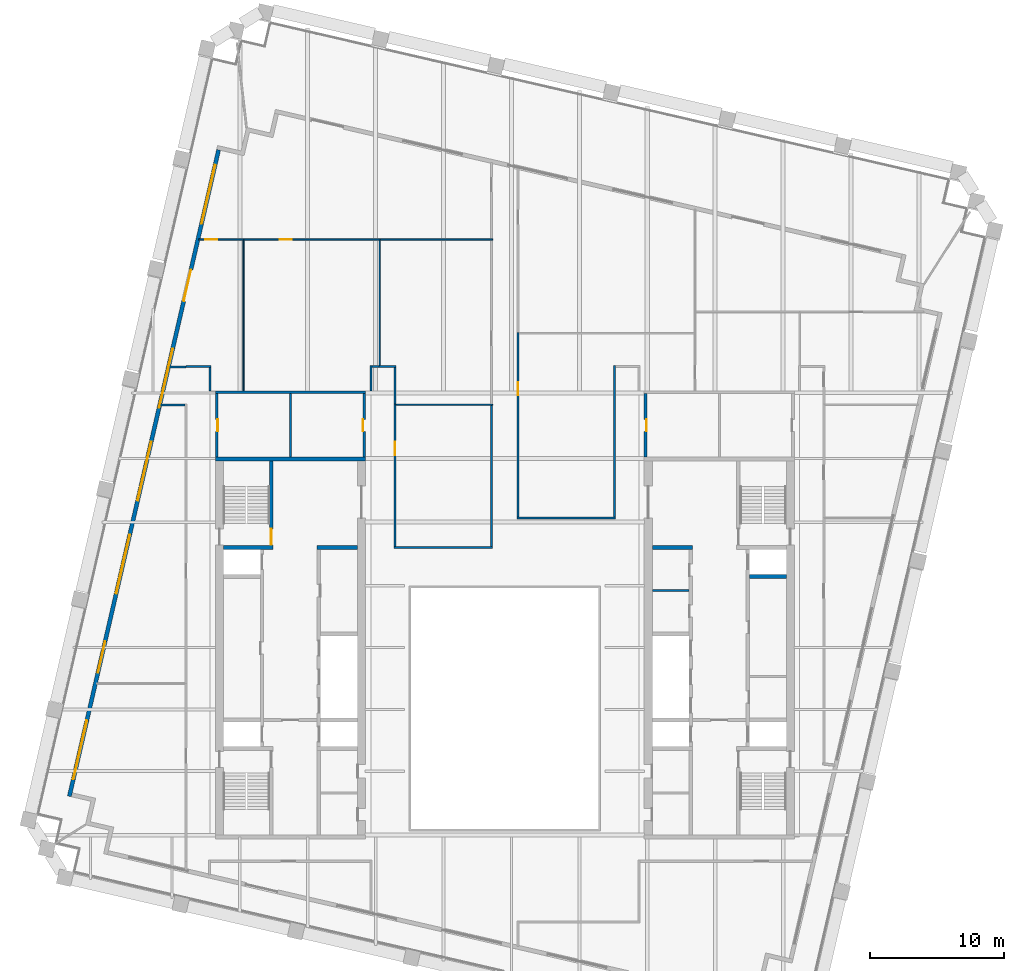
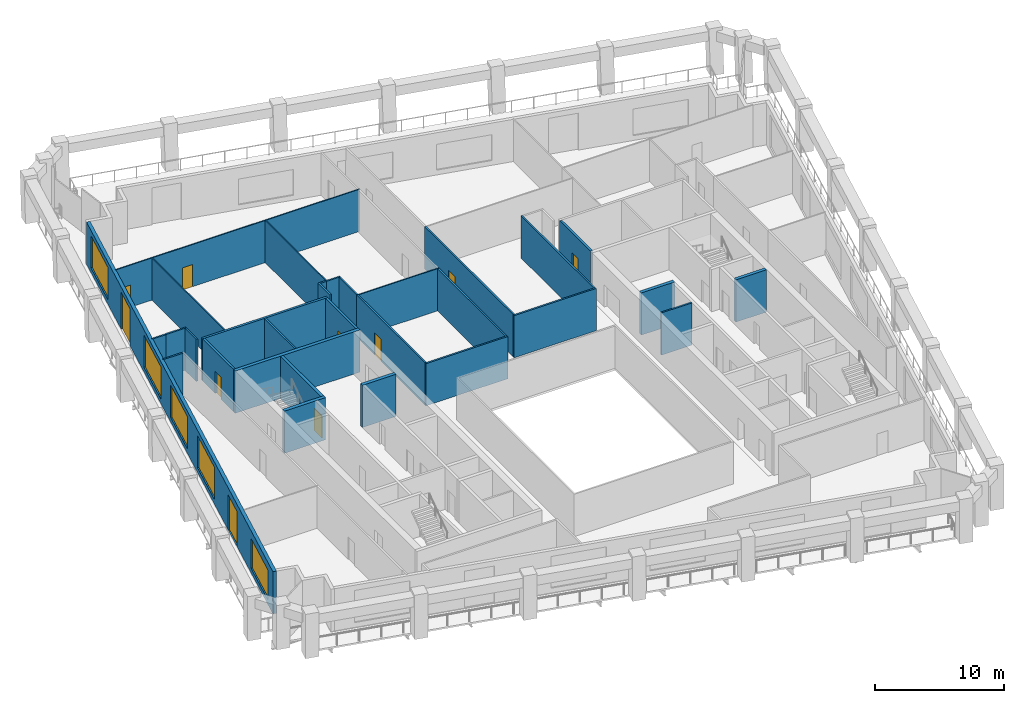
# One storey, part 6 of 9: 33 walls, 10 doors, 5 windows, 15 openings.
"""IFC4 building model written with IfcOpenShell, lengths in metres."""

from ifc_helpers import new_model, si_unit, direction, frame, frame_2d, origin, place, context, subcontext, project, spatial, rectangle, extrude, material, layer, layer_set, type_object, element, fill, save


model = new_model("IFC4")

# Units and contexts
model_context = context("Model", 3, precision=1e-05, world=origin(), true_north=direction((0.0, 1.0)))
body_context = subcontext(model_context, "Body", "Model", "MODEL_VIEW")
ifc_project = project(units=[si_unit("LENGTHUNIT", "METRE"), si_unit("AREAUNIT", "SQUARE_METRE"), si_unit("VOLUMEUNIT", "CUBIC_METRE"), si_unit("PLANEANGLEUNIT", "RADIAN"), si_unit("MASSUNIT", "GRAM", prefix="KILO")], contexts=[model_context])

# Site, building, storey
site_placement = place(None, origin())
site = spatial("IfcSite", under=ifc_project, at=site_placement, CompositionType="ELEMENT")
building_placement = place(site_placement, origin())
building = spatial("IfcBuilding", under=site, at=building_placement, Name="Ogive Exchange Tower", CompositionType="ELEMENT")
storey_placement = place(building_placement, frame((0.0, 0.0, 285.0)))
storey = spatial("IfcBuildingStorey", under=building, at=storey_placement, Name="L62", CompositionType="ELEMENT", Elevation=285.0)

# Walls
ifc_material_1 = material(Name="Gypsum board partition")
ifc_layer_1 = layer(ifc_material_1, 0.14990234375)
ifc_layer_set_1 = layer_set([ifc_layer_1], Name="Core room partition 150 gypsum")
wall_type_1 = type_object("IfcWallType", Name="Core room partition 150 gypsum", PredefinedType="PARTITIONING", material=ifc_layer_set_1)
wall_1_placement = place(storey_placement, frame((-16.0, 25.75, 0.0), z_axis=(0.0, 0.0, 1.0), x_axis=(0.0, 1.0, 0.0)))
element("IfcWall", 1, at=wall_1_placement, inside=storey, type_object=wall_type_1, Name="W annex N column wall", PredefinedType="PARTITIONING", context=body_context, shape_type="SweptSolid", body=[
    extrude(rectangle(XDim=4.75, YDim=0.14990234375, at=frame_2d((2.375, 0.0))), origin(), (0.0, 0.0, 1.0), 4.0),
])
wall_2_placement = place(storey_placement, frame((11.0, 15.800048828125, 0.0), z_axis=(0.0, 0.0, 1.0), x_axis=(1.0, 0.0, 0.0)))
element("IfcWall", 2, at=wall_2_placement, inside=storey, type_object=wall_type_1, Name="E row B bay partition 4-1", PredefinedType="PARTITIONING", context=body_context, shape_type="SweptSolid", body=[
    extrude(rectangle(XDim=2.75, YDim=0.14990234375, at=frame_2d((1.375, 0.0))), origin(), (0.0, 0.0, 1.0), 4.0),
])
ifc_layer_2 = layer(ifc_material_1, 0.300048828125)
ifc_layer_set_2 = layer_set([ifc_layer_2], Name="Core room partition 300 gypsum")
wall_type_2 = type_object("IfcWallType", Name="Core room partition 300 gypsum", PredefinedType="PARTITIONING", material=ifc_layer_set_2)
for number, where, z_axis, x_axis, name in (
    (3, (-14.0, 19.0, 0.0), (0.0, 0.0, 1.0), (1.0, 0.0, 0.0), "W row B room end wall 7"),
    (4, (11.0, 19.0, 0.0), (0.0, 0.0, 1.0), (1.0, 0.0, 0.0), "E row B room end wall 7"),
):
    element("IfcWall", number, at=place(storey_placement, frame(where, z_axis=z_axis, x_axis=x_axis)), inside=storey, type_object=wall_type_2, Name=name, PredefinedType="PARTITIONING", context=body_context, shape_type="SweptSolid", body=[
        extrude(rectangle(XDim=3.0, YDim=0.300048828125, at=frame_2d((1.5, 0.0))), origin(), (0.0, 0.0, 1.0), 4.0),
    ])
ifc_material_2 = material(Name="Fire partition EI 60 150")
ifc_layer_3 = layer(ifc_material_2, 0.14990234375)
ifc_layer_set_3 = layer_set([ifc_layer_3], Name="Fire partition EI 60 150")
wall_type_3 = type_object("IfcWallType", Name="Fire partition EI 60 150", PredefinedType="PARTITIONING", material=ifc_layer_set_3)
wall_3_placement = place(storey_placement, frame((-25.02490234375, 32.489990234375, 0.0), z_axis=(0.0, 0.0, 1.0), x_axis=(1.0, 0.0, 0.0)))
element("IfcWall", 5, at=wall_3_placement, inside=storey, type_object=wall_type_3, Name="L62-PWL-001", PredefinedType="PARTITIONING", context=body_context, shape_type="SweptSolid", body=[
    extrude(rectangle(XDim=1.224853515625, YDim=0.14990234375, at=frame_2d((0.6123046875, 0.0))), origin(), (0.0, 0.0, 1.0), 4.0),
])
wall_4_placement = place(storey_placement, frame((-23.875, 29.659912109375, 0.0), z_axis=(0.0, 0.0, 1.0), x_axis=(-1.0, 0.0, 0.0)))
element("IfcWall", 6, at=wall_4_placement, inside=storey, type_object=wall_type_3, Name="L62-PWL-005", PredefinedType="PARTITIONING", context=body_context, shape_type="SweptSolid", body=[
    extrude(rectangle(XDim=1.802978515625, YDim=0.14990234375, at=frame_2d((0.9013671875, 0.0))), origin(), (0.0, 0.0, 1.0), 4.0),
])
wall_5_placement = place(storey_placement, frame((-23.800048828125, 32.5, 0.0), z_axis=(0.0, 0.0, 1.0), x_axis=(1.0, 0.0, 0.0)))
element("IfcWall", 7, at=wall_5_placement, inside=storey, type_object=wall_type_3, Name="L62-PWL-006", PredefinedType="PARTITIONING", context=body_context, shape_type="SweptSolid", body=[
    extrude(rectangle(XDim=1.875, YDim=0.14990234375, at=frame_2d((0.9375, 0.0))), origin(), (0.0, 0.0, 1.0), 4.0),
])
wall_6_placement = place(storey_placement, frame((-22.0, 32.425048828125, 0.0), z_axis=(0.0, 0.0, 1.0), x_axis=(0.0, -1.0, 0.0)))
element("IfcWall", 8, at=wall_6_placement, inside=storey, type_object=wall_type_3, Name="L62-PWL-010", PredefinedType="PARTITIONING", context=body_context, shape_type="SweptSolid", body=[
    extrude(rectangle(XDim=1.72509765625, YDim=0.14990234375, at=frame_2d((0.862548828125, 0.0))), origin(), (0.0, 0.0, 1.0), 4.0),
])
wall_7_placement = place(storey_placement, frame((-10.0, 30.699951171875, 0.0), z_axis=(0.0, 0.0, 1.0), x_axis=(0.0, 1.0, 0.0)))
element("IfcWall", 9, at=wall_7_placement, inside=storey, type_object=wall_type_3, Name="L62-PWL-015", PredefinedType="PARTITIONING", context=body_context, shape_type="SweptSolid", body=[
    extrude(rectangle(XDim=1.875, YDim=0.14990234375, at=frame_2d((0.9375, 0.0))), origin(), (0.0, 0.0, 1.0), 4.0),
])
wall_8_placement = place(storey_placement, frame((-9.925048828125, 32.5, 0.0), z_axis=(0.0, 0.0, 1.0), x_axis=(1.0, 0.0, 0.0)))
element("IfcWall", 10, at=wall_8_placement, inside=storey, type_object=wall_type_3, Name="L62-PWL-016", PredefinedType="PARTITIONING", context=body_context, shape_type="SweptSolid", body=[
    extrude(rectangle(XDim=0.53515625, YDim=0.14990234375, at=frame_2d((0.267578125, 0.0))), origin(), (0.0, 0.0, 1.0), 4.0),
])
wall_9_placement = place(storey_placement, frame((-9.389892578125, 32.5, 0.0), z_axis=(0.0, 0.0, 1.0), x_axis=(1.0, 0.0, 0.0)))
element("IfcWall", 11, at=wall_9_placement, inside=storey, type_object=wall_type_3, Name="L62-PWL-017", PredefinedType="PARTITIONING", context=body_context, shape_type="SweptSolid", body=[
    extrude(rectangle(XDim=1.264892578125, YDim=0.14990234375, at=frame_2d((0.63232421875, 0.0))), origin(), (0.0, 0.0, 1.0), 4.0),
])
wall_10_placement = place(storey_placement, frame((-8.27490234375, 19.0, 0.0), z_axis=(0.0, 0.0, 1.0), x_axis=(1.0, 0.0, 0.0)))
element("IfcWall", 12, at=wall_10_placement, inside=storey, type_object=wall_type_3, Name="L62-PWL-020", PredefinedType="PARTITIONING", context=body_context, shape_type="SweptSolid", body=[
    extrude(rectangle(XDim=7.35986328125, YDim=0.14990234375, at=frame_2d((3.679931640625, 0.0))), origin(), (0.0, 0.0, 1.0), 4.0),
])

# Wall, opening, door
wall_11_placement = place(storey_placement, frame((-8.199951171875, 29.7099609375, 0.0), z_axis=(0.0, 0.0, 1.0), x_axis=(0.0, -1.0, 0.0)))
wall_11 = element("IfcWall", 13, at=wall_11_placement, inside=storey, type_object=wall_type_3, Name="L62-PWL-021", PredefinedType="PARTITIONING", context=body_context, shape_type="SweptSolid", body=[
    extrude(rectangle(XDim=10.635009765625, YDim=0.14990234375, at=frame_2d((5.3173828125, 0.0))), origin(), (0.0, 0.0, 1.0), 4.0),
])
opening_1_placement = place(wall_11_placement, frame((2.81005859375, 0.0, 0.0)))
opening_1 = element("IfcOpeningElement", 14, at=opening_1_placement, cuts=wall_11, Name="Opening L62-I09", PredefinedType="OPENING", context=body_context, shape_type="SweptSolid", body=[
    extrude(rectangle(XDim=1.0, YDim=2.10009765625, at=frame_2d((0.5, 1.050048828125))), frame((0.0, 0.0849609375, 0.0), z_axis=(0.0, -1.0, 0.0), x_axis=(1.0, 0.0, 0.0)), (0.0, 0.0, 1.0), 0.169921875),
])
ifc_material_3 = material(Name="Fire door FD 30S 1000 x 2100")
door_type_1 = type_object("IfcDoorType", Name="Fire door FD 30S 1000 x 2100", OperationType="NOTDEFINED", PredefinedType="DOOR", material=ifc_material_3)
door_1_placement = place(opening_1_placement, origin())
door_1 = element("IfcDoor", 15, at=door_1_placement, inside=storey, type_object=door_type_1, Name="L62-IDR-009", ObjectType="DT3", OperationType="SINGLE_SWING_RIGHT", OverallHeight=2.10009765625, OverallWidth=1.0, PredefinedType="DOOR", context=body_context, shape_type="SweptSolid", body=[
    extrude(rectangle(XDim=1.0, YDim=2.10009765625, at=frame_2d((0.5, 1.050048828125))), frame((0.0, 0.02490234375, 0.0), z_axis=(0.0, -1.0, 0.0), x_axis=(1.0, 0.0, 0.0)), (0.0, 0.0, 1.0), 0.050048828125),
])
fill(opening_1, door_1)

# Walls
wall_12_placement = place(storey_placement, frame((-8.199951171875, 32.425048828125, 0.0), z_axis=(0.0, 0.0, 1.0), x_axis=(0.0, -1.0, 0.0)))
element("IfcWall", 16, at=wall_12_placement, inside=storey, type_object=wall_type_3, Name="L62-PWL-023", PredefinedType="PARTITIONING", context=body_context, shape_type="SweptSolid", body=[
    extrude(rectangle(XDim=2.715087890625, YDim=0.14990234375, at=frame_2d((1.357421875, 0.0))), origin(), (0.0, 0.0, 1.0), 4.0),
])
wall_13_placement = place(storey_placement, frame((-0.989990234375, 19.074951171875, 0.0), z_axis=(0.0, 0.0, 1.0), x_axis=(0.0, 1.0, 0.0)))
element("IfcWall", 17, at=wall_13_placement, inside=storey, type_object=wall_type_3, Name="L62-PWL-024", PredefinedType="PARTITIONING", context=body_context, shape_type="SweptSolid", body=[
    extrude(rectangle(XDim=10.53515625, YDim=0.14990234375, at=frame_2d((5.267578125, 0.0))), origin(), (0.0, 0.0, 1.0), 4.0),
])
wall_14_placement = place(storey_placement, frame((0.9150390625, 21.2099609375, 0.0), z_axis=(0.0, 0.0, 1.0), x_axis=(1.0, 0.0, 0.0)))
element("IfcWall", 18, at=wall_14_placement, inside=storey, type_object=wall_type_3, Name="L62-PWL-028", PredefinedType="PARTITIONING", context=body_context, shape_type="SweptSolid", body=[
    extrude(rectangle(XDim=7.35986328125, YDim=0.14990234375, at=frame_2d((3.679931640625, 0.0))), origin(), (0.0, 0.0, 1.0), 4.0),
])

# Wall, opening, door
wall_15_placement = place(storey_placement, frame((0.989990234375, 35.050048828125, 0.0), z_axis=(0.0, 0.0, 1.0), x_axis=(0.0, -1.0, 0.0)))
wall_15 = element("IfcWall", 19, at=wall_15_placement, inside=storey, type_object=wall_type_3, Name="L62-PWL-029", PredefinedType="PARTITIONING", context=body_context, shape_type="SweptSolid", body=[
    extrude(rectangle(XDim=13.76513671875, YDim=0.14990234375, at=frame_2d((6.882568359375, 0.0))), origin(), (0.0, 0.0, 1.0), 4.0),
])
opening_2_placement = place(wall_15_placement, frame((3.68994140625, 0.0, 0.0)))
opening_2 = element("IfcOpeningElement", 20, at=opening_2_placement, cuts=wall_15, Name="Opening L62-I04", PredefinedType="OPENING", context=body_context, shape_type="SweptSolid", body=[
    extrude(rectangle(XDim=1.0, YDim=2.10009765625, at=frame_2d((0.5, 1.050048828125))), frame((0.0, 0.0849609375, 0.0), z_axis=(0.0, -1.0, 0.0), x_axis=(1.0, 0.0, 0.0)), (0.0, 0.0, 1.0), 0.169921875),
])
door_2_placement = place(opening_2_placement, origin())
door_2 = element("IfcDoor", 21, at=door_2_placement, inside=storey, type_object=door_type_1, Name="L62-IDR-004", ObjectType="DT3", OperationType="SINGLE_SWING_RIGHT", OverallHeight=2.10009765625, OverallWidth=1.0, PredefinedType="DOOR", context=body_context, shape_type="SweptSolid", body=[
    extrude(rectangle(XDim=1.0, YDim=2.10009765625, at=frame_2d((0.5, 1.050048828125))), frame((0.0, 0.02490234375, 0.0), z_axis=(0.0, -1.0, 0.0), x_axis=(1.0, 0.0, 0.0)), (0.0, 0.0, 1.0), 0.050048828125),
])
fill(opening_2, door_2)

# Wall
wall_16_placement = place(storey_placement, frame((8.199951171875, 21.284912109375, 0.0), z_axis=(0.0, 0.0, 1.0), x_axis=(0.0, 1.0, 0.0)))
element("IfcWall", 22, at=wall_16_placement, inside=storey, type_object=wall_type_3, Name="L62-PWL-031", PredefinedType="PARTITIONING", context=body_context, shape_type="SweptSolid", body=[
    extrude(rectangle(XDim=11.2900390625, YDim=0.14990234375, at=frame_2d((5.64501953125, 0.0))), origin(), (0.0, 0.0, 1.0), 4.0),
])

# Wall, openings, doors, windows
ifc_material_4 = material(Name="Precast concrete C40/50", Category="concrete")
ifc_layer_4 = layer(ifc_material_4, 0.300048828125)
ifc_layer_set_4 = layer_set([ifc_layer_4], Name="Limestone-faced wall 300")
wall_type_4 = type_object("IfcWallType", Name="Limestone-faced wall 300", PredefinedType="STANDARD", material=ifc_layer_set_4)
wall_17_placement = place(storey_placement, frame((-21.35888671875, 48.67822265625, 0.0), z_axis=(0.0, 0.0, 1.0), x_axis=(-0.224949198343, -0.974370493275, 0.0)))
wall_17 = element("IfcWall", 23, at=wall_17_placement, inside=storey, type_object=wall_type_4, Name="External wall W4", PredefinedType="STANDARD", context=body_context, shape_type="SweptSolid", body=[
    extrude(rectangle(XDim=49.5, YDim=0.300048828125, at=frame_2d((24.75, 0.0))), origin(), (0.0, 0.0, 1.0), 4.0),
])
opening_3_placement = place(wall_17_placement, frame((1.156982421875, 0.0, 0.449951171875)))
opening_3 = element("IfcOpeningElement", 24, at=opening_3_placement, cuts=wall_17, Name="Opening W1", PredefinedType="OPENING", context=body_context, shape_type="SweptSolid", body=[
    extrude(rectangle(XDim=4.5, YDim=3.050048828125, at=frame_2d((2.25, 1.52490234375))), frame((0.0, 0.159912109375, 0.0), z_axis=(0.0, -1.0, 0.0), x_axis=(1.0, 0.0, 0.0)), (0.0, 0.0, 1.0), 0.320068359375),
])
opening_4_placement = place(wall_17_placement, frame((9.17138671875, 0.0, 0.0)))
opening_4 = element("IfcOpeningElement", 25, at=opening_4_placement, cuts=wall_17, Name="Opening D1", PredefinedType="OPENING", context=body_context, shape_type="SweptSolid", body=[
    extrude(rectangle(XDim=2.39990234375, YDim=3.5, at=frame_2d((1.199951171875, 1.75))), frame((0.0, 0.159912109375, 0.0), z_axis=(0.0, -1.0, 0.0), x_axis=(1.0, 0.0, 0.0)), (0.0, 0.0, 1.0), 0.320068359375),
])
opening_5_placement = place(wall_17_placement, frame((15.235595703125, 0.0, 0.449951171875)))
opening_5 = element("IfcOpeningElement", 26, at=opening_5_placement, cuts=wall_17, Name="Opening W1", PredefinedType="OPENING", context=body_context, shape_type="SweptSolid", body=[
    extrude(rectangle(XDim=4.5, YDim=3.050048828125, at=frame_2d((2.25, 1.52490234375))), frame((0.0, 0.159912109375, 0.0), z_axis=(0.0, -1.0, 0.0), x_axis=(1.0, 0.0, 0.0)), (0.0, 0.0, 1.0), 0.320068359375),
])
opening_6_placement = place(wall_17_placement, frame((22.35009765625, 0.0, 0.449951171875)))
opening_6 = element("IfcOpeningElement", 27, at=opening_6_placement, cuts=wall_17, Name="Opening W1", PredefinedType="OPENING", context=body_context, shape_type="SweptSolid", body=[
    extrude(rectangle(XDim=4.5, YDim=3.050048828125, at=frame_2d((2.25, 1.52490234375))), frame((0.0, 0.159912109375, 0.0), z_axis=(0.0, -1.0, 0.0), x_axis=(1.0, 0.0, 0.0)), (0.0, 0.0, 1.0), 0.320068359375),
])
opening_7_placement = place(wall_17_placement, frame((29.464111328125, 0.0, 0.449951171875)))
opening_7 = element("IfcOpeningElement", 28, at=opening_7_placement, cuts=wall_17, Name="Opening W1", PredefinedType="OPENING", context=body_context, shape_type="SweptSolid", body=[
    extrude(rectangle(XDim=4.5, YDim=3.050048828125, at=frame_2d((2.25, 1.52490234375))), frame((0.0, 0.159912109375, 0.0), z_axis=(0.0, -1.0, 0.0), x_axis=(1.0, 0.0, 0.0)), (0.0, 0.0, 1.0), 0.320068359375),
])
opening_8_placement = place(wall_17_placement, frame((37.62841796875, 0.0, 0.0)))
opening_8 = element("IfcOpeningElement", 29, at=opening_8_placement, cuts=wall_17, Name="Opening D1C", PredefinedType="OPENING", context=body_context, shape_type="SweptSolid", body=[
    extrude(rectangle(XDim=2.39990234375, YDim=3.324951171875, at=frame_2d((1.199951171875, 1.66259765625))), frame((0.0, 0.159912109375, 0.0), z_axis=(0.0, -1.0, 0.0), x_axis=(1.0, 0.0, 0.0)), (0.0, 0.0, 1.0), 0.320068359375),
])
opening_9_placement = place(wall_17_placement, frame((43.69287109375, 0.0, 0.449951171875)))
opening_9 = element("IfcOpeningElement", 30, at=opening_9_placement, cuts=wall_17, Name="Opening W1E", PredefinedType="OPENING", context=body_context, shape_type="SweptSolid", body=[
    extrude(rectangle(XDim=4.5, YDim=2.824951171875, at=frame_2d((2.25, 1.41259765625))), frame((0.0, 0.159912109375, 0.0), z_axis=(0.0, -1.0, 0.0), x_axis=(1.0, 0.0, 0.0)), (0.0, 0.0, 1.0), 0.320068359375),
])
ifc_material_5 = material(Name="Clear glass in bronze frame", Category="glass")
door_type_2 = type_object("IfcDoorType", Name="Sliding loggia door 2400 x 3325", OperationType="DOUBLE_DOOR_SLIDING", PredefinedType="DOOR", material=ifc_material_5)
door_3_placement = place(opening_8_placement, origin())
door_3 = element("IfcDoor", 31, at=door_3_placement, inside=storey, type_object=door_type_2, Name="Loggia door W05", OperationType="DOUBLE_DOOR_SLIDING", OverallHeight=3.324951171875, OverallWidth=2.39990234375, PredefinedType="DOOR", context=body_context, shape_type="SweptSolid", body=[
    extrude(rectangle(XDim=2.39990234375, YDim=3.324951171875, at=frame_2d((1.199951171875, 1.66259765625))), frame((0.0, 0.02490234375, 0.0), z_axis=(0.0, -1.0, 0.0), x_axis=(1.0, 0.0, 0.0)), (0.0, 0.0, 1.0), 0.050048828125),
])
fill(opening_8, door_3)
door_type_3 = type_object("IfcDoorType", Name="Sliding loggia door 2400 x 3500", OperationType="DOUBLE_DOOR_SLIDING", PredefinedType="DOOR", material=ifc_material_5)
door_4_placement = place(opening_4_placement, origin())
door_4 = element("IfcDoor", 32, at=door_4_placement, inside=storey, type_object=door_type_3, Name="Loggia door W01", OperationType="DOUBLE_DOOR_SLIDING", OverallHeight=3.5, OverallWidth=2.39990234375, PredefinedType="DOOR", context=body_context, shape_type="SweptSolid", body=[
    extrude(rectangle(XDim=2.39990234375, YDim=3.5, at=frame_2d((1.199951171875, 1.75))), frame((0.0, 0.02490234375, 0.0), z_axis=(0.0, -1.0, 0.0), x_axis=(1.0, 0.0, 0.0)), (0.0, 0.0, 1.0), 0.050048828125),
])
fill(opening_4, door_4)
window_type_1 = type_object("IfcWindowType", Name="Twin lancet window 4500 x 2825", PartitioningType="DOUBLE_PANEL_VERTICAL", PredefinedType="WINDOW", material=ifc_material_5)
window_1_placement = place(opening_9_placement, origin())
window_1 = element("IfcWindow", 33, at=window_1_placement, inside=storey, type_object=window_type_1, Name="Window W06", OverallHeight=2.824951171875, OverallWidth=4.5, PartitioningType="DOUBLE_PANEL_VERTICAL", PredefinedType="WINDOW", context=body_context, shape_type="SweptSolid", body=[
    extrude(rectangle(XDim=4.5, YDim=2.824951171875, at=frame_2d((2.25, 1.41259765625))), frame((0.0, 0.030029296875, 0.0), z_axis=(0.0, -1.0, 0.0), x_axis=(1.0, 0.0, 0.0)), (0.0, 0.0, 1.0), 0.06005859375),
])
fill(opening_9, window_1)
window_type_2 = type_object("IfcWindowType", Name="Twin lancet window 4500 x 3050", PartitioningType="DOUBLE_PANEL_VERTICAL", PredefinedType="WINDOW", material=ifc_material_5)
window_2_placement = place(opening_3_placement, origin())
window_2 = element("IfcWindow", 34, at=window_2_placement, inside=storey, type_object=window_type_2, Name="Window W00", OverallHeight=3.050048828125, OverallWidth=4.5, PartitioningType="DOUBLE_PANEL_VERTICAL", PredefinedType="WINDOW", context=body_context, shape_type="SweptSolid", body=[
    extrude(rectangle(XDim=4.5, YDim=3.050048828125, at=frame_2d((2.25, 1.52490234375))), frame((0.0, 0.030029296875, 0.0), z_axis=(0.0, -1.0, 0.0), x_axis=(1.0, 0.0, 0.0)), (0.0, 0.0, 1.0), 0.06005859375),
])
fill(opening_3, window_2)
window_3_placement = place(opening_5_placement, origin())
window_3 = element("IfcWindow", 35, at=window_3_placement, inside=storey, type_object=window_type_2, Name="Window W02", OverallHeight=3.050048828125, OverallWidth=4.5, PartitioningType="DOUBLE_PANEL_VERTICAL", PredefinedType="WINDOW", context=body_context, shape_type="SweptSolid", body=[
    extrude(rectangle(XDim=4.5, YDim=3.050048828125, at=frame_2d((2.25, 1.52490234375))), frame((0.0, 0.030029296875, 0.0), z_axis=(0.0, -1.0, 0.0), x_axis=(1.0, 0.0, 0.0)), (0.0, 0.0, 1.0), 0.06005859375),
])
fill(opening_5, window_3)
window_4_placement = place(opening_6_placement, origin())
window_4 = element("IfcWindow", 36, at=window_4_placement, inside=storey, type_object=window_type_2, Name="Window W03", OverallHeight=3.050048828125, OverallWidth=4.5, PartitioningType="DOUBLE_PANEL_VERTICAL", PredefinedType="WINDOW", context=body_context, shape_type="SweptSolid", body=[
    extrude(rectangle(XDim=4.5, YDim=3.050048828125, at=frame_2d((2.25, 1.52490234375))), frame((0.0, 0.030029296875, 0.0), z_axis=(0.0, -1.0, 0.0), x_axis=(1.0, 0.0, 0.0)), (0.0, 0.0, 1.0), 0.06005859375),
])
fill(opening_6, window_4)
window_5_placement = place(opening_7_placement, origin())
window_5 = element("IfcWindow", 37, at=window_5_placement, inside=storey, type_object=window_type_2, Name="Window W04", OverallHeight=3.050048828125, OverallWidth=4.5, PartitioningType="DOUBLE_PANEL_VERTICAL", PredefinedType="WINDOW", context=body_context, shape_type="SweptSolid", body=[
    extrude(rectangle(XDim=4.5, YDim=3.050048828125, at=frame_2d((2.25, 1.52490234375))), frame((0.0, 0.030029296875, 0.0), z_axis=(0.0, -1.0, 0.0), x_axis=(1.0, 0.0, 0.0)), (0.0, 0.0, 1.0), 0.06005859375),
])
fill(opening_7, window_5)

# Wall, opening, door
ifc_material_6 = material(Name="Partition 100 gypsum")
ifc_layer_5 = layer(ifc_material_6, 0.10009765625)
ifc_layer_set_5 = layer_set([ifc_layer_5], Name="Partition 100 gypsum")
wall_type_5 = type_object("IfcWallType", Name="Partition 100 gypsum", PredefinedType="PARTITIONING", material=ifc_layer_set_5)
wall_18_placement = place(storey_placement, frame((-22.8291015625, 42.0, 0.0), z_axis=(0.0, 0.0, 1.0), x_axis=(1.0, 0.0, 0.0)))
wall_18 = element("IfcWall", 38, at=wall_18_placement, inside=storey, type_object=wall_type_5, Name="L62-PWL-008", PredefinedType="PARTITIONING", context=body_context, shape_type="SweptSolid", body=[
    extrude(rectangle(XDim=3.3291015625, YDim=0.10009765625, at=frame_2d((1.66455078125, 0.0))), origin(), (0.0, 0.0, 1.0), 4.0),
])
opening_10_placement = place(wall_18_placement, frame((0.47900390625, 0.0, 0.0)))
opening_10 = element("IfcOpeningElement", 39, at=opening_10_placement, cuts=wall_18, Name="Opening L62-I10", PredefinedType="OPENING", context=body_context, shape_type="SweptSolid", body=[
    extrude(rectangle(XDim=0.89990234375, YDim=2.10009765625, at=frame_2d((0.449951171875, 1.050048828125))), frame((0.0, 0.06005859375, 0.0), z_axis=(0.0, -1.0, 0.0), x_axis=(1.0, 0.0, 0.0)), (0.0, 0.0, 1.0), 0.1201171875),
])
ifc_material_7 = material(Name="Door 900 x 2100")
door_type_4 = type_object("IfcDoorType", Name="Door 900 x 2100", OperationType="NOTDEFINED", PredefinedType="DOOR", material=ifc_material_7)
door_5_placement = place(opening_10_placement, frame((0.89990234375, 0.0, 0.0), z_axis=(0.0, 0.0, 1.0), x_axis=(-1.0, 0.0, 0.0)))
door_5 = element("IfcDoor", 40, at=door_5_placement, inside=storey, type_object=door_type_4, Name="L62-IDR-010", ObjectType="DT1", OperationType="SINGLE_SWING_LEFT", OverallHeight=2.10009765625, OverallWidth=0.89990234375, PredefinedType="DOOR", context=body_context, shape_type="SweptSolid", body=[
    extrude(rectangle(XDim=0.89990234375, YDim=2.10009765625, at=frame_2d((0.449951171875, 1.050048828125))), frame((0.0, 0.02490234375, 0.0), z_axis=(0.0, -1.0, 0.0), x_axis=(1.0, 0.0, 0.0)), (0.0, 0.0, 1.0), 0.050048828125),
])
fill(opening_10, door_5)

# Wall
wall_19_placement = place(storey_placement, frame((-19.5, 41.949951171875, 0.0), z_axis=(0.0, 0.0, 1.0), x_axis=(0.0, -1.0, 0.0)))
element("IfcWall", 41, at=wall_19_placement, inside=storey, type_object=wall_type_5, Name="L62-PWL-011", PredefinedType="PARTITIONING", context=body_context, shape_type="SweptSolid", body=[
    extrude(rectangle(XDim=11.25, YDim=0.10009765625, at=frame_2d((5.625, 0.0))), origin(), (0.0, 0.0, 1.0), 4.0),
])

# Wall, opening, door
wall_20_placement = place(storey_placement, frame((-19.5, 42.0, 0.0), z_axis=(0.0, 0.0, 1.0), x_axis=(1.0, 0.0, 0.0)))
wall_20 = element("IfcWall", 42, at=wall_20_placement, inside=storey, type_object=wall_type_5, Name="L62-PWL-012", PredefinedType="PARTITIONING", context=body_context, shape_type="SweptSolid", body=[
    extrude(rectangle(XDim=10.2099609375, YDim=0.10009765625, at=frame_2d((5.10498046875, 0.0))), origin(), (0.0, 0.0, 1.0), 4.0),
])
opening_11_placement = place(wall_20_placement, frame((2.699951171875, 0.0, 0.0)))
opening_11 = element("IfcOpeningElement", 43, at=opening_11_placement, cuts=wall_20, Name="Opening L62-I11", PredefinedType="OPENING", context=body_context, shape_type="SweptSolid", body=[
    extrude(rectangle(XDim=0.89990234375, YDim=2.10009765625, at=frame_2d((0.449951171875, 1.050048828125))), frame((0.0, 0.06005859375, 0.0), z_axis=(0.0, -1.0, 0.0), x_axis=(1.0, 0.0, 0.0)), (0.0, 0.0, 1.0), 0.1201171875),
])
door_6_placement = place(opening_11_placement, frame((0.89990234375, 0.0, 0.0), z_axis=(0.0, 0.0, 1.0), x_axis=(-1.0, 0.0, 0.0)))
door_6 = element("IfcDoor", 44, at=door_6_placement, inside=storey, type_object=door_type_4, Name="L62-IDR-011", ObjectType="DT1", OperationType="SINGLE_SWING_LEFT", OverallHeight=2.10009765625, OverallWidth=0.89990234375, PredefinedType="DOOR", context=body_context, shape_type="SweptSolid", body=[
    extrude(rectangle(XDim=0.89990234375, YDim=2.10009765625, at=frame_2d((0.449951171875, 1.050048828125))), frame((0.0, 0.02490234375, 0.0), z_axis=(0.0, -1.0, 0.0), x_axis=(1.0, 0.0, 0.0)), (0.0, 0.0, 1.0), 0.050048828125),
])
fill(opening_11, door_6)

# Walls
wall_21_placement = place(storey_placement, frame((-9.340087890625, 41.949951171875, 0.0), z_axis=(0.0, 0.0, 1.0), x_axis=(0.0, -1.0, 0.0)))
element("IfcWall", 45, at=wall_21_placement, inside=storey, type_object=wall_type_5, Name="L62-PWL-018", PredefinedType="PARTITIONING", context=body_context, shape_type="SweptSolid", body=[
    extrude(rectangle(XDim=9.375, YDim=0.10009765625, at=frame_2d((4.6875, 0.0))), origin(), (0.0, 0.0, 1.0), 4.0),
])
wall_22_placement = place(storey_placement, frame((-9.2900390625, 42.0, 0.0), z_axis=(0.0, 0.0, 1.0), x_axis=(1.0, 0.0, 0.0)))
element("IfcWall", 46, at=wall_22_placement, inside=storey, type_object=wall_type_5, Name="L62-PWL-019", PredefinedType="PARTITIONING", context=body_context, shape_type="SweptSolid", body=[
    extrude(rectangle(XDim=8.375, YDim=0.10009765625, at=frame_2d((4.1875, 0.0))), origin(), (0.0, 0.0, 1.0), 4.0),
])
wall_23_placement = place(storey_placement, frame((-8.125, 29.659912109375, 0.0), z_axis=(0.0, 0.0, 1.0), x_axis=(1.0, 0.0, 0.0)))
element("IfcWall", 47, at=wall_23_placement, inside=storey, type_object=wall_type_5, Name="L62-PWL-022", PredefinedType="PARTITIONING", context=body_context, shape_type="SweptSolid", body=[
    extrude(rectangle(XDim=7.2099609375, YDim=0.10009765625, at=frame_2d((3.60498046875, 0.0))), origin(), (0.0, 0.0, 1.0), 4.0),
])

# Wall, opening, door
ifc_material_8 = material(Name="Concrete C70/85", Category="concrete")
ifc_layer_6 = layer(ifc_material_8, 0.199951171875)
ifc_layer_set_6 = layer_set([ifc_layer_6], Name="RC core wall 200 C70/85")
wall_type_6 = type_object("IfcWallType", Name="RC core wall 200 C70/85", PredefinedType="SHEAR", material=ifc_layer_set_6)
wall_24_placement = place(storey_placement, frame((-21.5, 25.75, 0.0), z_axis=(0.0, 0.0, 1.0), x_axis=(0.0, 1.0, 0.0)))
wall_24 = element("IfcWall", 48, at=wall_24_placement, inside=storey, type_object=wall_type_6, Name="W annex N outer wall", PredefinedType="SHEAR", context=body_context, shape_type="SweptSolid", body=[
    extrude(rectangle(XDim=4.75, YDim=0.199951171875, at=frame_2d((2.375, 0.0))), origin(), (0.0, 0.0, 1.0), 4.0),
])
opening_12_placement = place(wall_24_placement, frame((1.925048828125, 0.0, 0.0)))
opening_12 = element("IfcOpeningElement", 49, at=opening_12_placement, cuts=wall_24, Name="Opening L62-C17", PredefinedType="OPENING", context=body_context, shape_type="SweptSolid", body=[
    extrude(rectangle(XDim=0.89990234375, YDim=2.10009765625, at=frame_2d((0.449951171875, 1.050048828125))), frame((0.0, 0.10986328125, 0.0), z_axis=(0.0, -1.0, 0.0), x_axis=(1.0, 0.0, 0.0)), (0.0, 0.0, 1.0), 0.219970703125),
])
ifc_material_9 = material(Name="Steel fire door", Category="steel")
door_type_5 = type_object("IfcDoorType", Name="Riser door FD60 900 x 2100", OperationType="NOTDEFINED", PredefinedType="DOOR", material=ifc_material_9)
door_7_placement = place(opening_12_placement, origin())
door_7 = element("IfcDoor", 50, at=door_7_placement, inside=storey, type_object=door_type_5, Name="Riser door", ObjectType="CD2", OperationType="SINGLE_SWING_RIGHT", OverallHeight=2.10009765625, OverallWidth=0.89990234375, PredefinedType="DOOR", context=body_context, shape_type="SweptSolid", body=[
    extrude(rectangle(XDim=0.89990234375, YDim=2.10009765625, at=frame_2d((0.449951171875, 1.050048828125))), frame((0.0, -0.0498046875, 0.0), z_axis=(0.0, -1.0, 0.0), x_axis=(1.0, 0.0, 0.0)), (0.0, 0.0, 1.0), 0.050048828125),
])
fill(opening_12, door_7)

wall_25_placement = place(storey_placement, frame((-10.5, 25.75, 0.0), z_axis=(0.0, 0.0, 1.0), x_axis=(0.0, 1.0, 0.0)))
wall_25 = element("IfcWall", 51, at=wall_25_placement, inside=storey, type_object=wall_type_6, Name="W annex N inner wall", PredefinedType="SHEAR", context=body_context, shape_type="SweptSolid", body=[
    extrude(rectangle(XDim=4.75, YDim=0.199951171875, at=frame_2d((2.375, 0.0))), origin(), (0.0, 0.0, 1.0), 4.0),
])
opening_13_placement = place(wall_25_placement, frame((1.925048828125, 0.0, 0.0)))
opening_13 = element("IfcOpeningElement", 52, at=opening_13_placement, cuts=wall_25, Name="Opening L62-C18", PredefinedType="OPENING", context=body_context, shape_type="SweptSolid", body=[
    extrude(rectangle(XDim=0.89990234375, YDim=2.10009765625, at=frame_2d((0.449951171875, 1.050048828125))), frame((0.0, 0.10986328125, 0.0), z_axis=(0.0, -1.0, 0.0), x_axis=(1.0, 0.0, 0.0)), (0.0, 0.0, 1.0), 0.219970703125),
])
door_8_placement = place(opening_13_placement, frame((0.89990234375, 0.14990234375, 0.0), z_axis=(0.0, 0.0, 1.0), x_axis=(-1.0, 0.0, 0.0)))
door_8 = element("IfcDoor", 53, at=door_8_placement, inside=storey, type_object=door_type_5, Name="Riser door", ObjectType="CD2", OperationType="SINGLE_SWING_RIGHT", OverallHeight=2.10009765625, OverallWidth=0.89990234375, PredefinedType="DOOR", context=body_context, shape_type="SweptSolid", body=[
    extrude(rectangle(XDim=0.89990234375, YDim=2.10009765625, at=frame_2d((0.449951171875, 1.050048828125))), frame((0.0, 0.10009765625, 0.0), z_axis=(0.0, -1.0, 0.0), x_axis=(1.0, 0.0, 0.0)), (0.0, 0.0, 1.0), 0.050048828125),
])
fill(opening_13, door_8)

# Wall
wall_26_placement = place(storey_placement, frame((-21.60009765625, 30.60009765625, 0.0), z_axis=(0.0, 0.0, 1.0), x_axis=(1.0, 0.0, 0.0)))
element("IfcWall", 54, at=wall_26_placement, inside=storey, type_object=wall_type_6, Name="W annex N end wall", PredefinedType="SHEAR", context=body_context, shape_type="SweptSolid", body=[
    extrude(rectangle(XDim=11.2001953125, YDim=0.199951171875, at=frame_2d((5.60009765625, 0.0))), origin(), (0.0, 0.0, 1.0), 4.0),
])

# Wall, opening, door
wall_27_placement = place(storey_placement, frame((10.5, 25.75, 0.0), z_axis=(0.0, 0.0, 1.0), x_axis=(0.0, 1.0, 0.0)))
wall_27 = element("IfcWall", 55, at=wall_27_placement, inside=storey, type_object=wall_type_6, Name="E annex N inner wall", PredefinedType="SHEAR", context=body_context, shape_type="SweptSolid", body=[
    extrude(rectangle(XDim=4.75, YDim=0.199951171875, at=frame_2d((2.375, 0.0))), origin(), (0.0, 0.0, 1.0), 4.0),
])
opening_14_placement = place(wall_27_placement, frame((1.925048828125, 0.0, 0.0)))
opening_14 = element("IfcOpeningElement", 56, at=opening_14_placement, cuts=wall_27, Name="Opening L62-C38", PredefinedType="OPENING", context=body_context, shape_type="SweptSolid", body=[
    extrude(rectangle(XDim=0.89990234375, YDim=2.10009765625, at=frame_2d((0.449951171875, 1.050048828125))), frame((0.0, 0.10986328125, 0.0), z_axis=(0.0, -1.0, 0.0), x_axis=(1.0, 0.0, 0.0)), (0.0, 0.0, 1.0), 0.219970703125),
])
door_9_placement = place(opening_14_placement, origin())
door_9 = element("IfcDoor", 57, at=door_9_placement, inside=storey, type_object=door_type_5, Name="Riser door", ObjectType="CD2", OperationType="SINGLE_SWING_LEFT", OverallHeight=2.10009765625, OverallWidth=0.89990234375, PredefinedType="DOOR", context=body_context, shape_type="SweptSolid", body=[
    extrude(rectangle(XDim=0.89990234375, YDim=2.10009765625, at=frame_2d((0.449951171875, 1.050048828125))), frame((0.0, -0.0498046875, 0.0), z_axis=(0.0, -1.0, 0.0), x_axis=(1.0, 0.0, 0.0)), (0.0, 0.0, 1.0), 0.050048828125),
])
fill(opening_14, door_9)

ifc_layer_7 = layer(ifc_material_8, 0.25)
ifc_layer_set_7 = layer_set([ifc_layer_7], Name="RC core wall 250 C70/85")
wall_type_7 = type_object("IfcWallType", Name="RC core wall 250 C70/85", PredefinedType="SHEAR", material=ifc_layer_set_7)
wall_28_placement = place(storey_placement, frame((-17.425048828125, 19.14990234375, 0.0), z_axis=(0.0, 0.0, 1.0), x_axis=(0.0, 1.0, 0.0)))
wall_28 = element("IfcWall", 58, at=wall_28_placement, inside=storey, type_object=wall_type_7, Name="W stair N front wall", PredefinedType="SHEAR", context=body_context, shape_type="SweptSolid", body=[
    extrude(rectangle(XDim=6.300048828125, YDim=0.25, at=frame_2d((3.14990234375, 0.0))), origin(), (0.0, 0.0, 1.0), 4.0),
])
opening_15_placement = place(wall_28_placement, frame((0.050048828125, 0.0, 0.0)))
opening_15 = element("IfcOpeningElement", 59, at=opening_15_placement, cuts=wall_28, Name="Opening L62-C13", PredefinedType="OPENING", context=body_context, shape_type="SweptSolid", body=[
    extrude(rectangle(XDim=1.199951171875, YDim=2.10009765625, at=frame_2d((0.60009765625, 1.050048828125))), frame((0.0, 0.135009765625, 0.0), z_axis=(0.0, -1.0, 0.0), x_axis=(1.0, 0.0, 0.0)), (0.0, 0.0, 1.0), 0.27001953125),
])
door_type_6 = type_object("IfcDoorType", Name="Stair door FD90 1200 x 2100", OperationType="NOTDEFINED", PredefinedType="DOOR", material=ifc_material_9)
door_10_placement = place(opening_15_placement, origin())
door_10 = element("IfcDoor", 60, at=door_10_placement, inside=storey, type_object=door_type_6, Name="Stair door", ObjectType="CD5", OperationType="SINGLE_SWING_RIGHT", OverallHeight=2.10009765625, OverallWidth=1.199951171875, PredefinedType="DOOR", context=body_context, shape_type="SweptSolid", body=[
    extrude(rectangle(XDim=1.199951171875, YDim=2.10009765625, at=frame_2d((0.60009765625, 1.050048828125))), frame((0.0, 0.02490234375, 0.0), z_axis=(0.0, -1.0, 0.0), x_axis=(1.0, 0.0, 0.0)), (0.0, 0.0, 1.0), 0.050048828125),
])
fill(opening_15, door_10)

# Walls
ifc_layer_8 = layer(ifc_material_8, 0.300048828125)
ifc_layer_set_8 = layer_set([ifc_layer_8], Name="RC core wall 300 C70/85")
wall_type_8 = type_object("IfcWallType", Name="RC core wall 300 C70/85", PredefinedType="SHEAR", material=ifc_layer_set_8)
wall_29_placement = place(storey_placement, frame((-21.60009765625, 25.60009765625, 0.0), z_axis=(0.0, 0.0, 1.0), x_axis=(1.0, 0.0, 0.0)))
element("IfcWall", 61, at=wall_29_placement, inside=storey, type_object=wall_type_8, Name="W north end wall", PredefinedType="SHEAR", context=body_context, shape_type="SweptSolid", body=[
    extrude(rectangle(XDim=11.2001953125, YDim=0.300048828125, at=frame_2d((5.60009765625, 0.0))), origin(), (0.0, 0.0, 1.0), 4.0),
])
wall_30_placement = place(storey_placement, frame((-21.0, 19.0, 0.0), z_axis=(0.0, 0.0, 1.0), x_axis=(1.0, 0.0, 0.0)))
element("IfcWall", 62, at=wall_30_placement, inside=storey, type_object=wall_type_8, Name="W stair N south wall", PredefinedType="SHEAR", context=body_context, shape_type="SweptSolid", body=[
    extrude(rectangle(XDim=3.699951171875, YDim=0.300048828125, at=frame_2d((1.85009765625, 0.0))), origin(), (0.0, 0.0, 1.0), 4.0),
])
wall_31_placement = place(storey_placement, frame((18.25, 16.857177734375, 0.0), z_axis=(0.0, 0.0, 1.0), x_axis=(1.0, 0.0, 0.0)))
element("IfcWall", 63, at=wall_31_placement, inside=storey, type_object=wall_type_8, Name="E row A divider 6", PredefinedType="SHEAR", context=body_context, shape_type="SweptSolid", body=[
    extrude(rectangle(XDim=2.75, YDim=0.300048828125, at=frame_2d((1.375, 0.0))), origin(), (0.0, 0.0, 1.0), 4.0),
])

save(model, "model.ifc")
